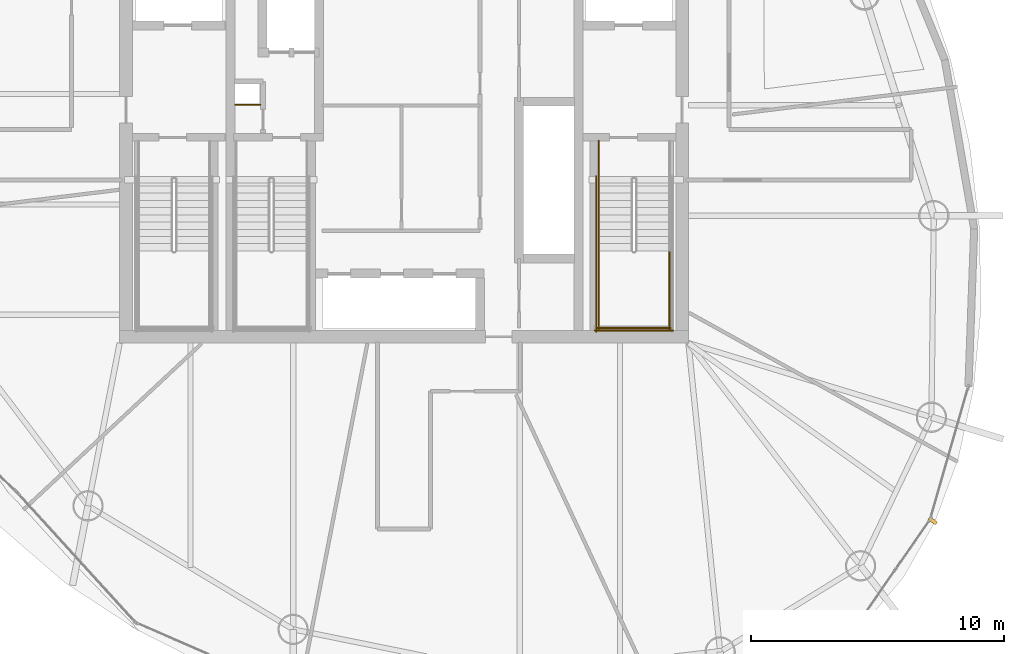
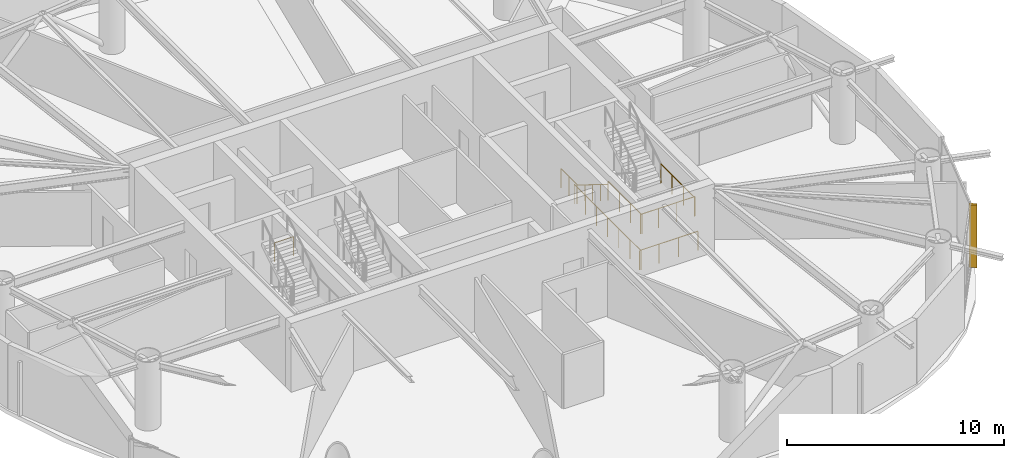
# One storey, part 20 of 22: 8 railings, 1 shading device.
"""IFC4 building model written with IfcOpenShell, lengths in metres."""

from ifc_helpers import new_model, si_unit, direction, frame, origin, origin_2d, place, context, subcontext, project, spatial, rectangle, circle, extrude, material, type_object, element, save


model = new_model("IFC4")

# Units and contexts
model_context = context("Model", 3, precision=1e-05, world=origin(), true_north=direction((0.0, 1.0)))
body_context = subcontext(model_context, "Body", "Model", "MODEL_VIEW")
ifc_project = project(units=[si_unit("LENGTHUNIT", "METRE"), si_unit("AREAUNIT", "SQUARE_METRE"), si_unit("VOLUMEUNIT", "CUBIC_METRE"), si_unit("PLANEANGLEUNIT", "RADIAN"), si_unit("MASSUNIT", "GRAM", prefix="KILO")], contexts=[model_context])

# Site, building, storey
site_placement = place(None, origin())
site = spatial("IfcSite", under=ifc_project, at=site_placement, CompositionType="ELEMENT")
building_placement = place(site_placement, origin())
building = spatial("IfcBuilding", under=site, at=building_placement, Name="Bramvorn Convention Spire", CompositionType="ELEMENT")
storey_placement = place(building_placement, frame((0.0, 0.0, 213.550048828125)))
storey = spatial("IfcBuildingStorey", under=building, at=storey_placement, Name="L54", CompositionType="ELEMENT", Elevation=213.550048828125)

# Railings
ifc_material_1 = material(Name="Painted Steel Balustrade & Guardrail", Category="steel")
railing_type_1 = type_object("IfcRailingType", Name="RL-STAIR-GUARD-1100", PredefinedType="GUARDRAIL", material=ifc_material_1)
for number, where, name in (
    (1, (45.699951171875, 22.199951171875, 1.925048828125), "L54 ST2 stair guard 3"),
    (2, (48.5, 22.199951171875, 1.925048828125), "L54 ST2 stair guard 4"),
):
    element("IfcRailing", number, at=place(storey_placement, frame(where)), inside=storey, type_object=railing_type_1, Name=name, PredefinedType="GUARDRAIL", context=body_context, shape_type="SweptSolid", body=[
        extrude(circle(Radius=0.02392578125, at=origin_2d()), frame((0.0, 0.0, 1.076171875), z_axis=(0.0, -1.0, 0.0), x_axis=(1.0, 0.0, 0.0)), (0.0, 0.0, 1.0), 3.099853515625),
        extrude(circle(Radius=0.02099609375, at=origin_2d()), origin(), (0.0, 0.0, 1.0), 1.052001953125),
        extrude(circle(Radius=0.02099609375, at=origin_2d()), frame((0.0, -1.033203125, 0.0)), (0.0, 0.0, 1.0), 1.052001953125),
        extrude(circle(Radius=0.02099609375, at=origin_2d()), frame((0.0, -2.066650390625, 0.0)), (0.0, 0.0, 1.0), 1.052001953125),
        extrude(circle(Radius=0.02099609375, at=origin_2d()), frame((0.0, -3.099853515625, 0.0)), (0.0, 0.0, 1.0), 1.052001953125),
    ])
railing_1_placement = place(storey_placement, frame((45.64990234375, 19.14990234375, 1.925048828125)))
element("IfcRailing", 3, at=railing_1_placement, inside=storey, type_object=railing_type_1, Name="L54 ST2 stair guard 5", PredefinedType="GUARDRAIL", context=body_context, shape_type="SweptSolid", body=[
    extrude(circle(Radius=0.02392578125, at=origin_2d()), frame((0.0, 0.0, 1.076171875), z_axis=(1.0, 0.0, 0.0), x_axis=(0.0, 1.0, 0.0)), (0.0, 0.0, 1.0), 2.900146484375),
    extrude(circle(Radius=0.02099609375, at=origin_2d()), origin(), (0.0, 0.0, 1.0), 1.052001953125),
    extrude(circle(Radius=0.02099609375, at=origin_2d()), frame((0.966796875, 0.0, 0.0)), (0.0, 0.0, 1.0), 1.052001953125),
    extrude(circle(Radius=0.02099609375, at=origin_2d()), frame((1.933349609375, 0.0, 0.0)), (0.0, 0.0, 1.0), 1.052001953125),
    extrude(circle(Radius=0.02099609375, at=origin_2d()), frame((2.900146484375, 0.0, 0.0)), (0.0, 0.0, 1.0), 1.052001953125),
])
railing_2_placement = place(storey_placement, frame((45.699951171875, 26.550048828125, 0.0)))
element("IfcRailing", 4, at=railing_2_placement, inside=storey, type_object=railing_type_1, Name="L54 ST2 stair guard 8", PredefinedType="GUARDRAIL", context=body_context, shape_type="SweptSolid", body=[
    extrude(circle(Radius=0.02392578125, at=origin_2d()), frame((0.0, 0.0, 1.076171875), z_axis=(0.0, -1.0, 0.0), x_axis=(1.0, 0.0, 0.0)), (0.0, 0.0, 1.0), 1.5),
    extrude(circle(Radius=0.02099609375, at=origin_2d()), origin(), (0.0, 0.0, 1.0), 1.052001953125),
    extrude(circle(Radius=0.02099609375, at=origin_2d()), frame((0.0, -0.75, 0.0)), (0.0, 0.0, 1.0), 1.052001953125),
    extrude(circle(Radius=0.02099609375, at=origin_2d()), frame((0.0, -1.5, 0.0)), (0.0, 0.0, 1.0), 1.052001953125),
])
railing_3_placement = place(storey_placement, frame((45.60009765625, 25.14990234375, 0.0)))
element("IfcRailing", 5, at=railing_3_placement, inside=storey, type_object=railing_type_1, Name="L54 ST2 stair guard 10", PredefinedType="GUARDRAIL", context=body_context, shape_type="SweptSolid", body=[
    extrude(circle(Radius=0.02392578125, at=origin_2d()), frame((0.0, 0.0, 1.076171875), z_axis=(0.0, -1.0, 0.0), x_axis=(1.0, 0.0, 0.0)), (0.0, 0.0, 1.0), 6.14990234375),
    extrude(circle(Radius=0.02099609375, at=origin_2d()), origin(), (0.0, 0.0, 1.0), 1.052001953125),
    extrude(circle(Radius=0.02099609375, at=origin_2d()), frame((0.0, -1.02490234375, 0.0)), (0.0, 0.0, 1.0), 1.052001953125),
    extrude(circle(Radius=0.02099609375, at=origin_2d()), frame((0.0, -2.050048828125, 0.0)), (0.0, 0.0, 1.0), 1.052001953125),
    extrude(circle(Radius=0.02099609375, at=origin_2d()), frame((0.0, -3.074951171875, 0.0)), (0.0, 0.0, 1.0), 1.052001953125),
    extrude(circle(Radius=0.02099609375, at=origin_2d()), frame((0.0, -4.099853515625, 0.0)), (0.0, 0.0, 1.0), 1.052001953125),
    extrude(circle(Radius=0.02099609375, at=origin_2d()), frame((0.0, -5.125, 0.0)), (0.0, 0.0, 1.0), 1.052001953125),
    extrude(circle(Radius=0.02099609375, at=origin_2d()), frame((0.0, -6.14990234375, 0.0)), (0.0, 0.0, 1.0), 1.052001953125),
])
railing_4_placement = place(storey_placement, frame((45.550048828125, 19.050048828125, 0.0)))
element("IfcRailing", 6, at=railing_4_placement, inside=storey, type_object=railing_type_1, Name="L54 ST2 stair guard 12", PredefinedType="GUARDRAIL", context=body_context, shape_type="SweptSolid", body=[
    extrude(circle(Radius=0.02392578125, at=origin_2d()), frame((0.0, 0.0, 1.076171875), z_axis=(1.0, 0.0, 0.0), x_axis=(0.0, 1.0, 0.0)), (0.0, 0.0, 1.0), 3.099853515625),
    extrude(circle(Radius=0.02099609375, at=origin_2d()), origin(), (0.0, 0.0, 1.0), 1.052001953125),
    extrude(circle(Radius=0.02099609375, at=origin_2d()), frame((1.033203125, 0.0, 0.0)), (0.0, 0.0, 1.0), 1.052001953125),
    extrude(circle(Radius=0.02099609375, at=origin_2d()), frame((2.066650390625, 0.0, 0.0)), (0.0, 0.0, 1.0), 1.052001953125),
    extrude(circle(Radius=0.02099609375, at=origin_2d()), frame((3.099853515625, 0.0, 0.0)), (0.0, 0.0, 1.0), 1.052001953125),
])
railing_5_placement = place(storey_placement, frame((31.320068359375, 27.97998046875, 0.0)))
element("IfcRailing", 7, at=railing_5_placement, inside=storey, type_object=railing_type_1, Name="L54 Telecom riser shaft opening safety guardrail", PredefinedType="GUARDRAIL", context=body_context, shape_type="SweptSolid", body=[
    extrude(circle(Radius=0.02392578125, at=origin_2d()), frame((0.0, 0.0, 1.076171875), z_axis=(1.0, 0.0, 0.0), x_axis=(0.0, 1.0, 0.0)), (0.0, 0.0, 1.0), 1.0),
    extrude(circle(Radius=0.02099609375, at=origin_2d()), origin(), (0.0, 0.0, 1.0), 1.052001953125),
    extrude(circle(Radius=0.02099609375, at=origin_2d()), frame((1.0, 0.0, 0.0)), (0.0, 0.0, 1.0), 1.052001953125),
])
ifc_material_2 = material(Name="Brushed Bronze Tubular Handrail", Category="aluminium")
railing_type_2 = type_object("IfcRailingType", Name="RL-STAIR-HR-920", PredefinedType="HANDRAIL", material=ifc_material_2)
railing_6_placement = place(storey_placement, frame((45.699951171875, 25.050048828125, 0.175048828125)))
element("IfcRailing", 8, at=railing_6_placement, inside=storey, type_object=railing_type_2, Name="L54 ST2 stair handrail 1", PredefinedType="HANDRAIL", context=body_context, shape_type="SweptSolid", body=[
    extrude(circle(Radius=0.02392578125, at=origin_2d()), frame((0.0, 0.0, 0.89599609375), z_axis=(0.0, -0.852179220489, 0.52325001306), x_axis=(1.0, 0.0, 0.0)), (0.0, 0.0, 1.0), 3.344482421875),
    extrude(circle(Radius=0.02099609375, at=origin_2d()), origin(), (0.0, 0.0, 1.0), 0.871826171875),
    extrude(circle(Radius=0.02099609375, at=origin_2d()), frame((0.0, -0.71240234375, 0.4375)), (0.0, 0.0, 1.0), 0.871826171875),
    extrude(circle(Radius=0.02099609375, at=origin_2d()), frame((0.0, -1.425048828125, 0.875)), (0.0, 0.0, 1.0), 0.871826171875),
    extrude(circle(Radius=0.02099609375, at=origin_2d()), frame((0.0, -2.1376953125, 1.3125)), (0.0, 0.0, 1.0), 0.871826171875),
    extrude(circle(Radius=0.02099609375, at=origin_2d()), frame((0.0, -2.85009765625, 1.75)), (0.0, 0.0, 1.0), 0.871826171875),
])

# Shading device
ifc_material_3 = material(Name="Extruded Champagne Bronze Aluminium Lancet Fin", Category="aluminium")
shading_device_type = type_object("IfcShadingDeviceType", Name="SHD-FIN-LANCET", PredefinedType="SHUTTER", material=ifc_material_3)
shading_device_placement = place(storey_placement, frame((58.914306640625, 11.52001953125, 0.050048828125), z_axis=(0.0, 0.0, 1.0), x_axis=(0.822175554714, -0.5692340092, 0.0)))
element("IfcShadingDevice", 9, at=shading_device_placement, inside=storey, type_object=shading_device_type, Name="L54 Gothic bronze wind-corner fin 01", PredefinedType="SHUTTER", context=body_context, shape_type="SweptSolid", body=[
    extrude(rectangle(XDim=0.360107421875, YDim=0.139892578125, at=origin_2d()), origin(), (0.0, 0.0, 1.0), 3.52001953125),
])

save(model, "model.ifc")
